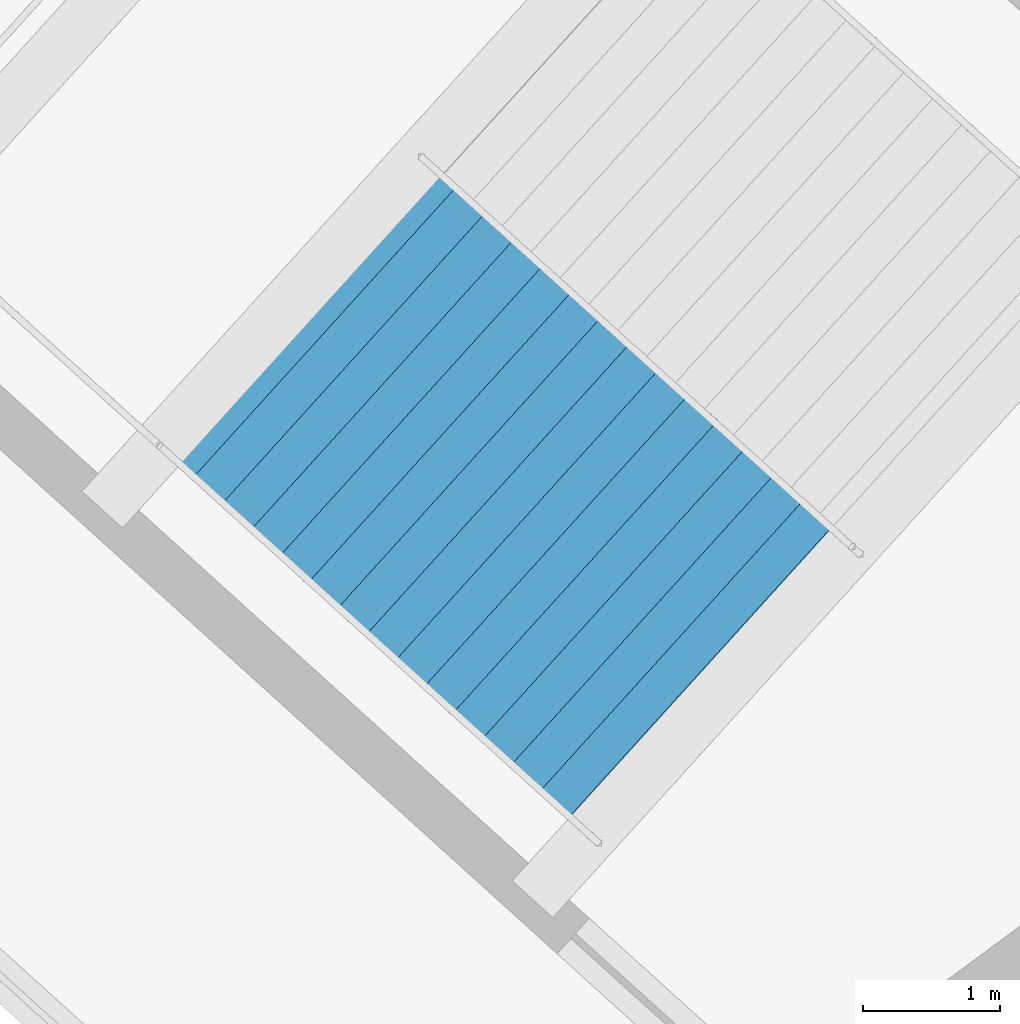
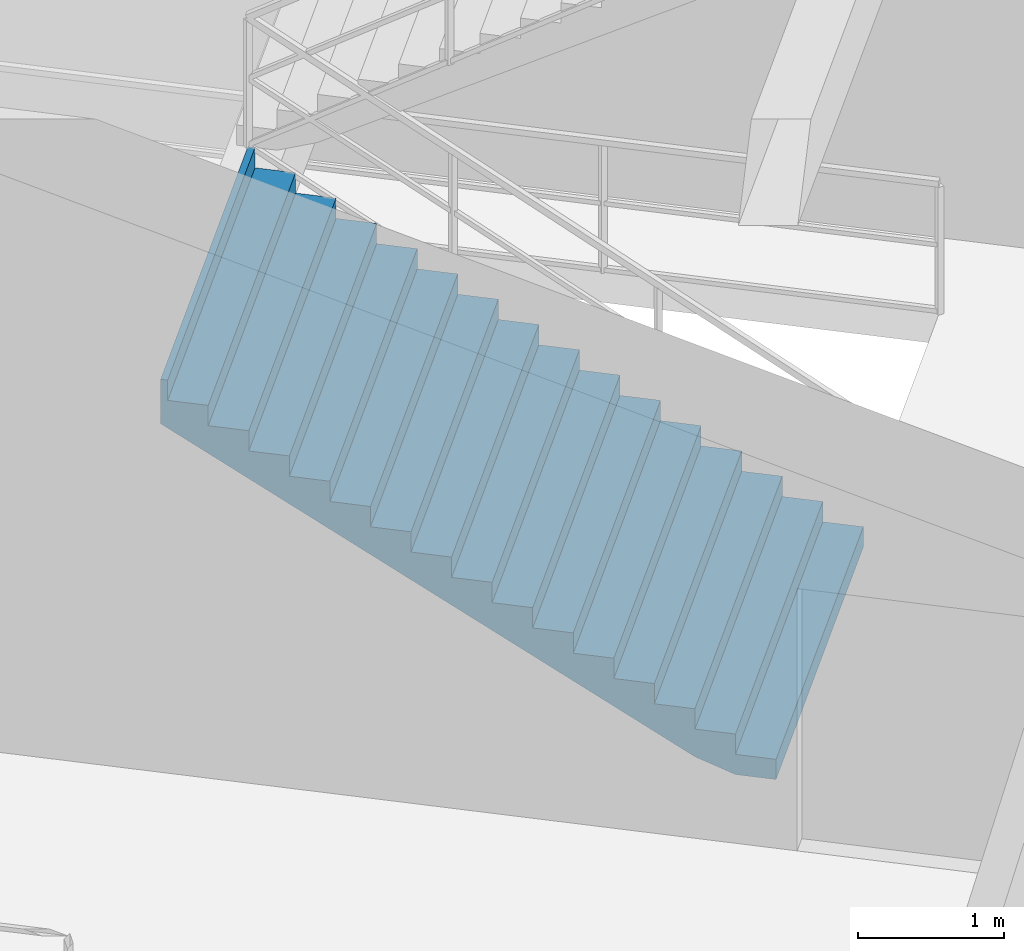
# One storey, part 80 of 86: 1 stair flight, 1 element without a shape of its own.
"""IFC4 building model written with IfcOpenShell, lengths in metres."""

import ifcopenshell
import ifcopenshell.guid

model = None  # the IFC model being written
_history = None  # IfcOwnerHistory: only IFC2X3 demands one
_inside = {}  # id of a spatial element -> (the spatial element, [elements in it])
_under = {}  # id of a project, library or spatial element -> (it, [spatial elements below it])
_declared = {}  # id of a project -> (the project, [libraries it declares])
_typed = {}  # id of a type object -> (the type object, [elements of that type])
_made_of = {}  # id of a material, layer set ... -> (it, [elements and type objects made of it])


def new_model(schema):
    """Start an empty IFC model of exactly this schema.

    Asked for "IFC4X3", IfcOpenShell would pick the latest addendum, in which some entities
    have other attributes; the version numbers below select the first issue.
    IFC2X3 requires an IfcOwnerHistory on every rooted entity: one is made here for all.
    """
    global model, _history
    if schema == "IFC4X3":
        model = ifcopenshell.file(schema_version=(4, 3, 0, 0))
    else:
        model = ifcopenshell.file(schema=schema)
    _inside.clear()
    _under.clear()
    _declared.clear()
    _typed.clear()
    _made_of.clear()
    _history = None
    if model.schema == "IFC2X3":
        org = make("IfcOrganization", Name="unknown")
        user = make(
            "IfcPersonAndOrganization",
            ThePerson=make("IfcPerson", FamilyName="unknown"),
            TheOrganization=org,
        )
        app = make(
            "IfcApplication",
            ApplicationDeveloper=org,
            Version="unknown",
            ApplicationFullName="unknown",
            ApplicationIdentifier="unknown",
        )
        _history = make(
            "IfcOwnerHistory",
            OwningUser=user,
            OwningApplication=app,
            ChangeAction="ADDED",
            CreationDate=0,
        )
    return model


def make(cls, **values):
    """One entity of the class cls with the attributes given. An attribute that is None is left unset."""
    return model.create_entity(
        cls, **{name: value for name, value in values.items() if value is not None}
    )


def rooted(cls, **values):
    """An entity with a GlobalId (a new one), such as an element, a storey or a relation."""
    return make(cls, GlobalId=ifcopenshell.guid.new(), OwnerHistory=_history, **values)


def si_unit(unit_type, name, prefix=None):
    """IfcSIUnit, for example si_unit("LENGTHUNIT", "METRE", prefix="MILLI")."""
    return make("IfcSIUnit", UnitType=unit_type, Prefix=prefix, Name=name)


def assignment(units):
    """IfcUnitAssignment: the units of a project."""
    return None if units is None else make("IfcUnitAssignment", Units=units)


def point(xyz):
    """IfcCartesianPoint."""
    return None if xyz is None else make("IfcCartesianPoint", Coordinates=xyz)


def direction(xyz):
    """IfcDirection."""
    return None if xyz is None else make("IfcDirection", DirectionRatios=xyz)


def frame(location, z_axis=None, x_axis=None):
    """IfcAxis2Placement3D, a coordinate frame: its origin and axes. An axis left out is left unset."""
    return make(
        "IfcAxis2Placement3D",
        Location=point(location),
        Axis=direction(z_axis),
        RefDirection=direction(x_axis),
    )


def origin():
    """The frame at (0, 0, 0) with its axes left unset."""
    return frame((0.0, 0.0, 0.0))


def place(relative_to, where):
    """IfcLocalPlacement: puts the frame where relative to a parent placement (None: the world)."""
    return make(
        "IfcLocalPlacement", PlacementRelTo=relative_to, RelativePlacement=where
    )


def context(
    kind, dimensions, precision=None, world=None, true_north=None, identifier=None
):
    """IfcGeometricRepresentationContext, for example the 3D "Model" context."""
    return make(
        "IfcGeometricRepresentationContext",
        ContextIdentifier=identifier,
        ContextType=kind,
        CoordinateSpaceDimension=dimensions,
        Precision=precision,
        WorldCoordinateSystem=world,
        TrueNorth=true_north,
    )


def subcontext(parent, identifier, kind, view, scale=None):
    """IfcGeometricRepresentationSubContext, for example "Body" below "Model"."""
    return make(
        "IfcGeometricRepresentationSubContext",
        ContextIdentifier=identifier,
        ContextType=kind,
        ParentContext=parent,
        TargetScale=scale,
        TargetView=view,
    )


def project(units=None, contexts=None):
    """IfcProject with its units and contexts."""
    return rooted(
        "IfcProject",
        Name="project",
        RepresentationContexts=contexts,
        UnitsInContext=assignment(units),
    )


def spatial(cls, under=None, at=None, **own):
    """A site, building, storey or space (cls), placed at a placement, below another one or the project."""
    s = rooted(cls, ObjectPlacement=at, **own)
    if under is not None:
        _under.setdefault(under.id(), (under, []))[1].append(s)
    return s


def point_list(points):
    """IfcCartesianPointList2D or 3D."""
    cls = (
        "IfcCartesianPointList2D" if len(points[0]) == 2 else "IfcCartesianPointList3D"
    )
    return make(cls, CoordList=points)


def polygons(points, faces, closed=None, point_numbers=None):
    """IfcPolygonalFaceSet: a face is its outer loop, then its inner loops; points numbered from 1."""
    made = []
    for loops in faces:
        if len(loops) == 1:
            made.append(make("IfcIndexedPolygonalFace", CoordIndex=loops[0]))
        else:
            made.append(
                make(
                    "IfcIndexedPolygonalFaceWithVoids",
                    CoordIndex=loops[0],
                    InnerCoordIndices=loops[1:],
                )
            )
    return make(
        "IfcPolygonalFaceSet",
        Coordinates=point_list(points),
        Closed=closed,
        Faces=made,
        PnIndex=point_numbers,
    )


def shape(context_of_items, identifier, shape_type, items):
    """IfcShapeRepresentation: the items that make up one representation, for example the "Body"."""
    return make(
        "IfcShapeRepresentation",
        ContextOfItems=context_of_items,
        RepresentationIdentifier=identifier,
        RepresentationType=shape_type,
        Items=items,
    )


def material(Name=None, Category=None):
    """IfcMaterial."""
    return make("IfcMaterial", Name=Name, Category=Category)


def made_of(thing, what):
    """Note that an element or type object is made of a material, layer set ...; save() writes the relation."""
    if what is not None:
        _made_of.setdefault(what.id(), (what, []))[1].append(thing)
    return thing


def type_object(cls, material=None, **own):
    """A type object (cls), such as IfcWallType, which elements share."""
    return made_of(rooted(cls, **own), material)


def element(
    cls,
    number,
    at=None,
    inside=None,
    cuts=None,
    type_object=None,
    material=None,
    context=None,
    identifier="Body",
    shape_type=None,
    held_by="IfcProductDefinitionShape",
    body=None,
    shapes=None,
    **own,
):
    """One element of the class cls, such as IfcWall. Its Tag is "e" and its number.

    at: its placement. inside: the storey or other place that contains it. cuts: it is an
    opening in that element (IfcRelVoidsElement). A single representation is given by context,
    identifier, shape_type and body (its items); several are given by shapes. held_by: the class
    of the entity that holds the representations. save() writes the other relations.
    """
    e = rooted(cls, Tag="e%d" % number, ObjectPlacement=at, **own)
    if body is not None:
        shapes = [shape(context, identifier, shape_type, body)]
    if shapes is not None:
        e.Representation = make(held_by, Representations=shapes)
    if inside is not None:
        _inside.setdefault(inside.id(), (inside, []))[1].append(e)
    if cuts is not None:
        rooted(
            "IfcRelVoidsElement", RelatingBuildingElement=cuts, RelatedOpeningElement=e
        )
    if type_object is not None:
        _typed.setdefault(type_object.id(), (type_object, []))[1].append(e)
    return made_of(e, material)


def aggregate(whole, parts):
    """IfcRelAggregates: a whole, such as a stair, and the parts it consists of."""
    return rooted("IfcRelAggregates", RelatingObject=whole, RelatedObjects=parts)


def save(model, path):
    """Write the relations noted so far, then the file.

    IfcRelAggregates (storeys below a building ...), IfcRelContainedInSpatialStructure (elements
    in a storey), IfcRelDefinesByType, IfcRelAssociatesMaterial and IfcRelDeclares: one each for
    every whole, place, type object, material and project.
    """
    for whole, parts in _under.values():
        aggregate(whole, parts)
    for where, things in _inside.values():
        rooted(
            "IfcRelContainedInSpatialStructure",
            RelatedElements=things,
            RelatingStructure=where,
        )
    for kind, things in _typed.values():
        rooted("IfcRelDefinesByType", RelatedObjects=things, RelatingType=kind)
    for what, things in _made_of.values():
        rooted("IfcRelAssociatesMaterial", RelatedObjects=things, RelatingMaterial=what)
    for by, libraries in _declared.values():
        rooted("IfcRelDeclares", RelatingContext=by, RelatedDefinitions=libraries)
    model.write(path)


model = new_model("IFC4")

# Units and contexts
model_context = context("Model", 3, precision=1e-05, world=origin(), true_north=direction((0.0, 1.0)))
body_context = subcontext(model_context, "Body", "Model", "MODEL_VIEW")
ifc_project = project(units=[si_unit("LENGTHUNIT", "METRE"), si_unit("AREAUNIT", "SQUARE_METRE"), si_unit("VOLUMEUNIT", "CUBIC_METRE"), si_unit("PLANEANGLEUNIT", "RADIAN"), si_unit("MASSUNIT", "GRAM", prefix="KILO")], contexts=[model_context])

# Site, building, storey
site_placement = place(None, origin())
site = spatial("IfcSite", under=ifc_project, at=site_placement, CompositionType="ELEMENT")
building_placement = place(site_placement, origin())
building = spatial("IfcBuilding", under=site, at=building_placement, Name="Kazemori Nagisa Stadium", CompositionType="ELEMENT")
storey_placement = place(building_placement, frame((0.0, 0.0, 31.280029296875)))
storey = spatial("IfcBuildingStorey", under=building, at=storey_placement, Name="L06", CompositionType="ELEMENT", Elevation=31.280029296875)

# Stair, stair flight
ifc_material = material(Name="Concrete C36/45 (Fc36)", Category="concrete")
stair_type = type_object("IfcStairType", Name="Stair_CORE_32", PredefinedType="TWO_STRAIGHT_RUN_STAIR", material=ifc_material)
stair_placement = place(storey_placement, origin())
stair = element("IfcStair", 1, at=stair_placement, inside=storey, type_object=stair_type, Name="Exit stair ST01 L06", PredefinedType="TWO_STRAIGHT_RUN_STAIR")
stair_flight_type = type_object("IfcStairFlightType", Name="Flight_CORE_16", PredefinedType="STRAIGHT", material=ifc_material)
stair_flight_placement = place(storey_placement, frame((191.89208984375, 156.3369140625, 0.0), z_axis=(0.0, 0.0, 1.0), x_axis=(-0.741354464355, 0.671113670089, 0.0)))
stair_flight = element("IfcStairFlight", 2, at=stair_flight_placement, type_object=stair_flight_type, Name="Exit stair ST01 L06 flight 1", NumberOfRisers=16, NumberOfTreads=15, PredefinedType="STRAIGHT", RiserHeight=0.17, TreadLength=0.285, context=body_context, shape_type="Tessellation", body=[
    polygons([(0.0, -1.425048828125, 0.0), (0.0, -1.425048828125, 0.169921875), (0.284912109375, -1.425048828125, 0.169921875), (0.284912109375, -1.425048828125, 0.340087890625), (0.570068359375, -1.425048828125, 0.340087890625), (0.570068359375, -1.425048828125, 0.510009765625), (0.85498046875, -1.425048828125, 0.510009765625), (0.85498046875, -1.425048828125, 0.679931640625), (1.139892578125, -1.425048828125, 0.679931640625), (1.139892578125, -1.425048828125, 0.85009765625), (1.425048828125, -1.425048828125, 0.85009765625), (1.425048828125, -1.425048828125, 1.02001953125), (1.7099609375, -1.425048828125, 1.02001953125), (1.7099609375, -1.425048828125, 1.18994140625), (1.9951171875, -1.425048828125, 1.18994140625), (1.9951171875, -1.425048828125, 1.360107421875), (2.280029296875, -1.425048828125, 1.360107421875), (2.280029296875, -1.425048828125, 1.530029296875), (2.56494140625, -1.425048828125, 1.530029296875), (2.56494140625, -1.425048828125, 1.699951171875), (2.85009765625, -1.425048828125, 1.699951171875), (2.85009765625, -1.425048828125, 1.8701171875), (3.135009765625, -1.425048828125, 1.8701171875), (3.135009765625, -1.425048828125, 2.0400390625), (3.419921875, -1.425048828125, 2.0400390625), (3.419921875, -1.425048828125, 2.2099609375), (3.705078125, -1.425048828125, 2.2099609375), (3.705078125, -1.425048828125, 2.3798828125), (3.989990234375, -1.425048828125, 2.3798828125), (3.989990234375, -1.425048828125, 2.550048828125), (4.27490234375, -1.425048828125, 2.550048828125), (4.27490234375, -1.425048828125, 2.719970703125), (4.324951171875, -1.425048828125, 2.719970703125), (4.324951171875, -1.425048828125, 2.346923828125), (4.27490234375, -1.425048828125, 2.317138671875), (3.989990234375, -1.425048828125, 2.147216796875), (3.705078125, -1.425048828125, 1.977294921875), (3.419921875, -1.425048828125, 1.80712890625), (3.135009765625, -1.425048828125, 1.63720703125), (2.85009765625, -1.425048828125, 1.46728515625), (2.56494140625, -1.425048828125, 1.297119140625), (2.280029296875, -1.425048828125, 1.127197265625), (1.9951171875, -1.425048828125, 0.957275390625), (1.7099609375, -1.425048828125, 0.787109375), (1.425048828125, -1.425048828125, 0.6171875), (1.139892578125, -1.425048828125, 0.447265625), (0.85498046875, -1.425048828125, 0.277099609375), (0.570068359375, -1.425048828125, 0.107177734375), (0.284912109375, -1.425048828125, 0.0), (0.0, -0.08544921875, 0.0), (0.0, -0.08544921875, 0.169921875), (0.284912109375, -0.08544921875, 0.169921875), (0.284912109375, -0.08544921875, 0.340087890625), (0.570068359375, -0.08544921875, 0.340087890625), (0.570068359375, -0.08544921875, 0.510009765625), (0.85498046875, -0.08544921875, 0.510009765625), (0.85498046875, -0.08544921875, 0.679931640625), (1.139892578125, -0.08544921875, 0.679931640625), (1.139892578125, -0.08544921875, 0.85009765625), (1.425048828125, -0.08544921875, 0.85009765625), (1.425048828125, -0.08544921875, 1.02001953125), (1.7099609375, -0.08544921875, 1.02001953125), (1.7099609375, -0.08544921875, 1.18994140625), (1.9951171875, -0.08544921875, 1.18994140625), (1.9951171875, -0.08544921875, 1.360107421875), (2.280029296875, -0.08544921875, 1.360107421875), (2.280029296875, -0.08544921875, 1.530029296875), (2.56494140625, -0.08544921875, 1.530029296875), (2.56494140625, -0.08544921875, 1.699951171875), (2.85009765625, -0.08544921875, 1.699951171875), (2.85009765625, -0.08544921875, 1.8701171875), (3.135009765625, -0.08544921875, 1.8701171875), (3.135009765625, -0.08544921875, 2.0400390625), (3.419921875, -0.08544921875, 2.0400390625), (3.419921875, -0.08544921875, 2.2099609375), (3.705078125, -0.08544921875, 2.2099609375), (3.705078125, -0.08544921875, 2.3798828125), (3.989990234375, -0.08544921875, 2.3798828125), (3.989990234375, -0.08544921875, 2.550048828125), (4.27490234375, -0.08544921875, 2.550048828125), (4.27490234375, -0.08544921875, 2.719970703125), (4.324951171875, -0.08544921875, 2.719970703125), (4.324951171875, -0.08544921875, 2.346923828125), (4.27490234375, -0.08544921875, 2.317138671875), (3.989990234375, -0.08544921875, 2.147216796875), (3.705078125, -0.08544921875, 1.977294921875), (3.419921875, -0.08544921875, 1.80712890625), (3.135009765625, -0.08544921875, 1.63720703125), (2.85009765625, -0.08544921875, 1.46728515625), (2.56494140625, -0.08544921875, 1.297119140625), (2.280029296875, -0.08544921875, 1.127197265625), (1.9951171875, -0.08544921875, 0.957275390625), (1.7099609375, -0.08544921875, 0.787109375), (1.425048828125, -0.08544921875, 0.6171875), (1.139892578125, -0.08544921875, 0.447265625), (0.85498046875, -0.08544921875, 0.277099609375), (0.570068359375, -0.08544921875, 0.107177734375), (0.284912109375, -0.08544921875, 0.0), (0.0, 0.0, 0.0), (0.0, 0.0, 0.169921875), (0.284912109375, 0.0, 0.169921875), (0.284912109375, 0.0, 0.340087890625), (0.570068359375, 0.0, 0.340087890625), (0.570068359375, 0.0, 0.510009765625), (0.85498046875, 0.0, 0.510009765625), (0.85498046875, 0.0, 0.679931640625), (1.139892578125, 0.0, 0.679931640625), (1.139892578125, 0.0, 0.85009765625), (1.425048828125, 0.0, 0.85009765625), (1.425048828125, 0.0, 1.02001953125), (1.7099609375, 0.0, 1.02001953125), (1.7099609375, 0.0, 1.18994140625), (1.9951171875, 0.0, 1.18994140625), (1.9951171875, 0.0, 1.360107421875), (2.280029296875, 0.0, 1.360107421875), (2.280029296875, 0.0, 1.530029296875), (2.56494140625, 0.0, 1.530029296875), (2.56494140625, 0.0, 1.699951171875), (2.85009765625, 0.0, 1.699951171875), (2.85009765625, 0.0, 1.8701171875), (3.135009765625, 0.0, 1.8701171875), (3.135009765625, 0.0, 2.0400390625), (3.419921875, 0.0, 2.0400390625), (3.419921875, 0.0, 2.2099609375), (3.705078125, 0.0, 2.2099609375), (3.705078125, 0.0, 2.3798828125), (3.989990234375, 0.0, 2.3798828125), (3.989990234375, 0.0, 2.550048828125), (4.27490234375, 0.0, 2.550048828125), (4.27490234375, 0.0, 2.719970703125), (4.324951171875, 0.0, 2.719970703125), (4.324951171875, 0.0, 2.346923828125), (4.27490234375, 0.0, 2.317138671875), (3.989990234375, 0.0, 2.147216796875), (3.705078125, 0.0, 1.977294921875), (3.419921875, 0.0, 1.80712890625), (3.135009765625, 0.0, 1.63720703125), (2.85009765625, 0.0, 1.46728515625), (2.56494140625, 0.0, 1.297119140625), (2.280029296875, 0.0, 1.127197265625), (1.9951171875, 0.0, 0.957275390625), (1.7099609375, 0.0, 0.787109375), (1.425048828125, 0.0, 0.6171875), (1.139892578125, 0.0, 0.447265625), (0.85498046875, 0.0, 0.277099609375), (0.570068359375, 0.0, 0.107177734375), (0.284912109375, 0.0, 0.0), (0.0, 0.08544921875, 0.0), (0.0, 0.08544921875, 0.169921875), (0.284912109375, 0.08544921875, 0.169921875), (0.284912109375, 0.08544921875, 0.340087890625), (0.570068359375, 0.08544921875, 0.340087890625), (0.570068359375, 0.08544921875, 0.510009765625), (0.85498046875, 0.08544921875, 0.510009765625), (0.85498046875, 0.08544921875, 0.679931640625), (1.139892578125, 0.08544921875, 0.679931640625), (1.139892578125, 0.08544921875, 0.85009765625), (1.425048828125, 0.08544921875, 0.85009765625), (1.425048828125, 0.08544921875, 1.02001953125), (1.7099609375, 0.08544921875, 1.02001953125), (1.7099609375, 0.08544921875, 1.18994140625), (1.9951171875, 0.08544921875, 1.18994140625), (1.9951171875, 0.08544921875, 1.360107421875), (2.280029296875, 0.08544921875, 1.360107421875), (2.280029296875, 0.08544921875, 1.530029296875), (2.56494140625, 0.08544921875, 1.530029296875), (2.56494140625, 0.08544921875, 1.699951171875), (2.85009765625, 0.08544921875, 1.699951171875), (2.85009765625, 0.08544921875, 1.8701171875), (3.135009765625, 0.08544921875, 1.8701171875), (3.135009765625, 0.08544921875, 2.0400390625), (3.419921875, 0.08544921875, 2.0400390625), (3.419921875, 0.08544921875, 2.2099609375), (3.705078125, 0.08544921875, 2.2099609375), (3.705078125, 0.08544921875, 2.3798828125), (3.989990234375, 0.08544921875, 2.3798828125), (3.989990234375, 0.08544921875, 2.550048828125), (4.27490234375, 0.08544921875, 2.550048828125), (4.27490234375, 0.08544921875, 2.719970703125), (4.324951171875, 0.08544921875, 2.719970703125), (4.324951171875, 0.08544921875, 2.346923828125), (4.27490234375, 0.08544921875, 2.317138671875), (3.989990234375, 0.08544921875, 2.147216796875), (3.705078125, 0.08544921875, 1.977294921875), (3.419921875, 0.08544921875, 1.80712890625), (3.135009765625, 0.08544921875, 1.63720703125), (2.85009765625, 0.08544921875, 1.46728515625), (2.56494140625, 0.08544921875, 1.297119140625), (2.280029296875, 0.08544921875, 1.127197265625), (1.9951171875, 0.08544921875, 0.957275390625), (1.7099609375, 0.08544921875, 0.787109375), (1.425048828125, 0.08544921875, 0.6171875), (1.139892578125, 0.08544921875, 0.447265625), (0.85498046875, 0.08544921875, 0.277099609375), (0.570068359375, 0.08544921875, 0.107177734375), (0.284912109375, 0.08544921875, 0.0), (0.0, 1.425048828125, 0.0), (0.0, 1.425048828125, 0.169921875), (0.284912109375, 1.425048828125, 0.169921875), (0.284912109375, 1.425048828125, 0.340087890625), (0.570068359375, 1.425048828125, 0.340087890625), (0.570068359375, 1.425048828125, 0.510009765625), (0.85498046875, 1.425048828125, 0.510009765625), (0.85498046875, 1.425048828125, 0.679931640625), (1.139892578125, 1.425048828125, 0.679931640625), (1.139892578125, 1.425048828125, 0.85009765625), (1.425048828125, 1.425048828125, 0.85009765625), (1.425048828125, 1.425048828125, 1.02001953125), (1.7099609375, 1.425048828125, 1.02001953125), (1.7099609375, 1.425048828125, 1.18994140625), (1.9951171875, 1.425048828125, 1.18994140625), (1.9951171875, 1.425048828125, 1.360107421875), (2.280029296875, 1.425048828125, 1.360107421875), (2.280029296875, 1.425048828125, 1.530029296875), (2.56494140625, 1.425048828125, 1.530029296875), (2.56494140625, 1.425048828125, 1.699951171875), (2.85009765625, 1.425048828125, 1.699951171875), (2.85009765625, 1.425048828125, 1.8701171875), (3.135009765625, 1.425048828125, 1.8701171875), (3.135009765625, 1.425048828125, 2.0400390625), (3.419921875, 1.425048828125, 2.0400390625), (3.419921875, 1.425048828125, 2.2099609375), (3.705078125, 1.425048828125, 2.2099609375), (3.705078125, 1.425048828125, 2.3798828125), (3.989990234375, 1.425048828125, 2.3798828125), (3.989990234375, 1.425048828125, 2.550048828125), (4.27490234375, 1.425048828125, 2.550048828125), (4.27490234375, 1.425048828125, 2.719970703125), (4.324951171875, 1.425048828125, 2.719970703125), (4.324951171875, 1.425048828125, 2.346923828125), (4.27490234375, 1.425048828125, 2.317138671875), (3.989990234375, 1.425048828125, 2.147216796875), (3.705078125, 1.425048828125, 1.977294921875), (3.419921875, 1.425048828125, 1.80712890625), (3.135009765625, 1.425048828125, 1.63720703125), (2.85009765625, 1.425048828125, 1.46728515625), (2.56494140625, 1.425048828125, 1.297119140625), (2.280029296875, 1.425048828125, 1.127197265625), (1.9951171875, 1.425048828125, 0.957275390625), (1.7099609375, 1.425048828125, 0.787109375), (1.425048828125, 1.425048828125, 0.6171875), (1.139892578125, 1.425048828125, 0.447265625), (0.85498046875, 1.425048828125, 0.277099609375), (0.570068359375, 1.425048828125, 0.107177734375), (0.284912109375, 1.425048828125, 0.0)], [[[1, 2, 51]], [[1, 51, 50]], [[2, 3, 52]], [[2, 52, 51]], [[3, 4, 53]], [[3, 53, 52]], [[4, 5, 54]], [[4, 54, 53]], [[5, 6, 55]], [[5, 55, 54]], [[6, 7, 56]], [[6, 56, 55]], [[7, 8, 57]], [[7, 57, 56]], [[8, 9, 58]], [[8, 58, 57]], [[9, 10, 59]], [[9, 59, 58]], [[10, 11, 60]], [[10, 60, 59]], [[11, 12, 61]], [[11, 61, 60]], [[12, 13, 62]], [[12, 62, 61]], [[13, 14, 63]], [[13, 63, 62]], [[14, 15, 64]], [[14, 64, 63]], [[15, 16, 65]], [[15, 65, 64]], [[16, 17, 66]], [[16, 66, 65]], [[17, 18, 67]], [[17, 67, 66]], [[18, 19, 68]], [[18, 68, 67]], [[19, 20, 69]], [[19, 69, 68]], [[20, 21, 70]], [[20, 70, 69]], [[21, 22, 71]], [[21, 71, 70]], [[22, 23, 72]], [[22, 72, 71]], [[23, 24, 73]], [[23, 73, 72]], [[24, 25, 74]], [[24, 74, 73]], [[25, 26, 75]], [[25, 75, 74]], [[26, 27, 76]], [[26, 76, 75]], [[27, 28, 77]], [[27, 77, 76]], [[28, 29, 78]], [[28, 78, 77]], [[29, 30, 79]], [[29, 79, 78]], [[30, 31, 80]], [[30, 80, 79]], [[31, 32, 81]], [[31, 81, 80]], [[32, 33, 82]], [[32, 82, 81]], [[33, 34, 83]], [[33, 83, 82]], [[34, 35, 84]], [[34, 84, 83]], [[35, 36, 85]], [[35, 85, 84]], [[36, 37, 86]], [[36, 86, 85]], [[37, 38, 87]], [[37, 87, 86]], [[38, 39, 88]], [[38, 88, 87]], [[39, 40, 89]], [[39, 89, 88]], [[40, 41, 90]], [[40, 90, 89]], [[41, 42, 91]], [[41, 91, 90]], [[42, 43, 92]], [[42, 92, 91]], [[43, 44, 93]], [[43, 93, 92]], [[44, 45, 94]], [[44, 94, 93]], [[45, 46, 95]], [[45, 95, 94]], [[46, 47, 96]], [[46, 96, 95]], [[47, 48, 97]], [[47, 97, 96]], [[48, 49, 98]], [[48, 98, 97]], [[49, 1, 50]], [[49, 50, 98]], [[50, 51, 100]], [[50, 100, 99]], [[51, 52, 101]], [[51, 101, 100]], [[52, 53, 102]], [[52, 102, 101]], [[53, 54, 103]], [[53, 103, 102]], [[54, 55, 104]], [[54, 104, 103]], [[55, 56, 105]], [[55, 105, 104]], [[56, 57, 106]], [[56, 106, 105]], [[57, 58, 107]], [[57, 107, 106]], [[58, 59, 108]], [[58, 108, 107]], [[59, 60, 109]], [[59, 109, 108]], [[60, 61, 110]], [[60, 110, 109]], [[61, 62, 111]], [[61, 111, 110]], [[62, 63, 112]], [[62, 112, 111]], [[63, 64, 113]], [[63, 113, 112]], [[64, 65, 114]], [[64, 114, 113]], [[65, 66, 115]], [[65, 115, 114]], [[66, 67, 116]], [[66, 116, 115]], [[67, 68, 117]], [[67, 117, 116]], [[68, 69, 118]], [[68, 118, 117]], [[69, 70, 119]], [[69, 119, 118]], [[70, 71, 120]], [[70, 120, 119]], [[71, 72, 121]], [[71, 121, 120]], [[72, 73, 122]], [[72, 122, 121]], [[73, 74, 123]], [[73, 123, 122]], [[74, 75, 124]], [[74, 124, 123]], [[75, 76, 125]], [[75, 125, 124]], [[76, 77, 126]], [[76, 126, 125]], [[77, 78, 127]], [[77, 127, 126]], [[78, 79, 128]], [[78, 128, 127]], [[79, 80, 129]], [[79, 129, 128]], [[80, 81, 130]], [[80, 130, 129]], [[81, 82, 131]], [[81, 131, 130]], [[82, 83, 132]], [[82, 132, 131]], [[83, 84, 133]], [[83, 133, 132]], [[84, 85, 134]], [[84, 134, 133]], [[85, 86, 135]], [[85, 135, 134]], [[86, 87, 136]], [[86, 136, 135]], [[87, 88, 137]], [[87, 137, 136]], [[88, 89, 138]], [[88, 138, 137]], [[89, 90, 139]], [[89, 139, 138]], [[90, 91, 140]], [[90, 140, 139]], [[91, 92, 141]], [[91, 141, 140]], [[92, 93, 142]], [[92, 142, 141]], [[93, 94, 143]], [[93, 143, 142]], [[94, 95, 144]], [[94, 144, 143]], [[95, 96, 145]], [[95, 145, 144]], [[96, 97, 146]], [[96, 146, 145]], [[97, 98, 147]], [[97, 147, 146]], [[98, 50, 99]], [[98, 99, 147]], [[99, 100, 149]], [[99, 149, 148]], [[100, 101, 150]], [[100, 150, 149]], [[101, 102, 151]], [[101, 151, 150]], [[102, 103, 152]], [[102, 152, 151]], [[103, 104, 153]], [[103, 153, 152]], [[104, 105, 154]], [[104, 154, 153]], [[105, 106, 155]], [[105, 155, 154]], [[106, 107, 156]], [[106, 156, 155]], [[107, 108, 157]], [[107, 157, 156]], [[108, 109, 158]], [[108, 158, 157]], [[109, 110, 159]], [[109, 159, 158]], [[110, 111, 160]], [[110, 160, 159]], [[111, 112, 161]], [[111, 161, 160]], [[112, 113, 162]], [[112, 162, 161]], [[113, 114, 163]], [[113, 163, 162]], [[114, 115, 164]], [[114, 164, 163]], [[115, 116, 165]], [[115, 165, 164]], [[116, 117, 166]], [[116, 166, 165]], [[117, 118, 167]], [[117, 167, 166]], [[118, 119, 168]], [[118, 168, 167]], [[119, 120, 169]], [[119, 169, 168]], [[120, 121, 170]], [[120, 170, 169]], [[121, 122, 171]], [[121, 171, 170]], [[122, 123, 172]], [[122, 172, 171]], [[123, 124, 173]], [[123, 173, 172]], [[124, 125, 174]], [[124, 174, 173]], [[125, 126, 175]], [[125, 175, 174]], [[126, 127, 176]], [[126, 176, 175]], [[127, 128, 177]], [[127, 177, 176]], [[128, 129, 178]], [[128, 178, 177]], [[129, 130, 179]], [[129, 179, 178]], [[130, 131, 180]], [[130, 180, 179]], [[131, 132, 181]], [[131, 181, 180]], [[132, 133, 182]], [[132, 182, 181]], [[133, 134, 183]], [[133, 183, 182]], [[134, 135, 184]], [[134, 184, 183]], [[135, 136, 185]], [[135, 185, 184]], [[136, 137, 186]], [[136, 186, 185]], [[137, 138, 187]], [[137, 187, 186]], [[138, 139, 188]], [[138, 188, 187]], [[139, 140, 189]], [[139, 189, 188]], [[140, 141, 190]], [[140, 190, 189]], [[141, 142, 191]], [[141, 191, 190]], [[142, 143, 192]], [[142, 192, 191]], [[143, 144, 193]], [[143, 193, 192]], [[144, 145, 194]], [[144, 194, 193]], [[145, 146, 195]], [[145, 195, 194]], [[146, 147, 196]], [[146, 196, 195]], [[147, 99, 148]], [[147, 148, 196]], [[148, 149, 198]], [[148, 198, 197]], [[149, 150, 199]], [[149, 199, 198]], [[150, 151, 200]], [[150, 200, 199]], [[151, 152, 201]], [[151, 201, 200]], [[152, 153, 202]], [[152, 202, 201]], [[153, 154, 203]], [[153, 203, 202]], [[154, 155, 204]], [[154, 204, 203]], [[155, 156, 205]], [[155, 205, 204]], [[156, 157, 206]], [[156, 206, 205]], [[157, 158, 207]], [[157, 207, 206]], [[158, 159, 208]], [[158, 208, 207]], [[159, 160, 209]], [[159, 209, 208]], [[160, 161, 210]], [[160, 210, 209]], [[161, 162, 211]], [[161, 211, 210]], [[162, 163, 212]], [[162, 212, 211]], [[163, 164, 213]], [[163, 213, 212]], [[164, 165, 214]], [[164, 214, 213]], [[165, 166, 215]], [[165, 215, 214]], [[166, 167, 216]], [[166, 216, 215]], [[167, 168, 217]], [[167, 217, 216]], [[168, 169, 218]], [[168, 218, 217]], [[169, 170, 219]], [[169, 219, 218]], [[170, 171, 220]], [[170, 220, 219]], [[171, 172, 221]], [[171, 221, 220]], [[172, 173, 222]], [[172, 222, 221]], [[173, 174, 223]], [[173, 223, 222]], [[174, 175, 224]], [[174, 224, 223]], [[175, 176, 225]], [[175, 225, 224]], [[176, 177, 226]], [[176, 226, 225]], [[177, 178, 227]], [[177, 227, 226]], [[178, 179, 228]], [[178, 228, 227]], [[179, 180, 229]], [[179, 229, 228]], [[180, 181, 230]], [[180, 230, 229]], [[181, 182, 231]], [[181, 231, 230]], [[182, 183, 232]], [[182, 232, 231]], [[183, 184, 233]], [[183, 233, 232]], [[184, 185, 234]], [[184, 234, 233]], [[185, 186, 235]], [[185, 235, 234]], [[186, 187, 236]], [[186, 236, 235]], [[187, 188, 237]], [[187, 237, 236]], [[188, 189, 238]], [[188, 238, 237]], [[189, 190, 239]], [[189, 239, 238]], [[190, 191, 240]], [[190, 240, 239]], [[191, 192, 241]], [[191, 241, 240]], [[192, 193, 242]], [[192, 242, 241]], [[193, 194, 243]], [[193, 243, 242]], [[194, 195, 244]], [[194, 244, 243]], [[195, 196, 245]], [[195, 245, 244]], [[196, 148, 197]], [[196, 197, 245]], [[3, 2, 1]], [[197, 198, 199]], [[49, 3, 1]], [[197, 199, 245]], [[48, 3, 49]], [[245, 199, 244]], [[5, 3, 48]], [[244, 199, 201]], [[5, 4, 3]], [[199, 200, 201]], [[47, 5, 48]], [[244, 201, 243]], [[7, 5, 47]], [[243, 201, 203]], [[7, 6, 5]], [[201, 202, 203]], [[46, 7, 47]], [[243, 203, 242]], [[9, 7, 46]], [[242, 203, 205]], [[9, 8, 7]], [[203, 204, 205]], [[45, 9, 46]], [[242, 205, 241]], [[11, 9, 45]], [[241, 205, 207]], [[11, 10, 9]], [[205, 206, 207]], [[44, 11, 45]], [[241, 207, 240]], [[13, 11, 44]], [[240, 207, 209]], [[13, 12, 11]], [[207, 208, 209]], [[43, 13, 44]], [[240, 209, 239]], [[15, 13, 43]], [[239, 209, 211]], [[15, 14, 13]], [[209, 210, 211]], [[42, 15, 43]], [[239, 211, 238]], [[17, 15, 42]], [[238, 211, 213]], [[17, 16, 15]], [[211, 212, 213]], [[41, 17, 42]], [[238, 213, 237]], [[19, 17, 41]], [[237, 213, 215]], [[19, 18, 17]], [[213, 214, 215]], [[40, 19, 41]], [[237, 215, 236]], [[21, 19, 40]], [[236, 215, 217]], [[21, 20, 19]], [[215, 216, 217]], [[39, 21, 40]], [[236, 217, 235]], [[23, 21, 39]], [[235, 217, 219]], [[23, 22, 21]], [[217, 218, 219]], [[38, 23, 39]], [[235, 219, 234]], [[25, 23, 38]], [[234, 219, 221]], [[25, 24, 23]], [[219, 220, 221]], [[37, 25, 38]], [[234, 221, 233]], [[27, 25, 37]], [[233, 221, 223]], [[27, 26, 25]], [[221, 222, 223]], [[36, 27, 37]], [[233, 223, 232]], [[29, 27, 36]], [[232, 223, 225]], [[29, 28, 27]], [[223, 224, 225]], [[35, 29, 36]], [[232, 225, 231]], [[31, 29, 35]], [[231, 225, 227]], [[31, 30, 29]], [[225, 226, 227]], [[34, 31, 35]], [[231, 227, 230]], [[33, 31, 34]], [[230, 227, 229]], [[33, 32, 31]], [[227, 228, 229]]], closed=True),
])
aggregate(stair, [stair_flight])

save(model, "model.ifc")
